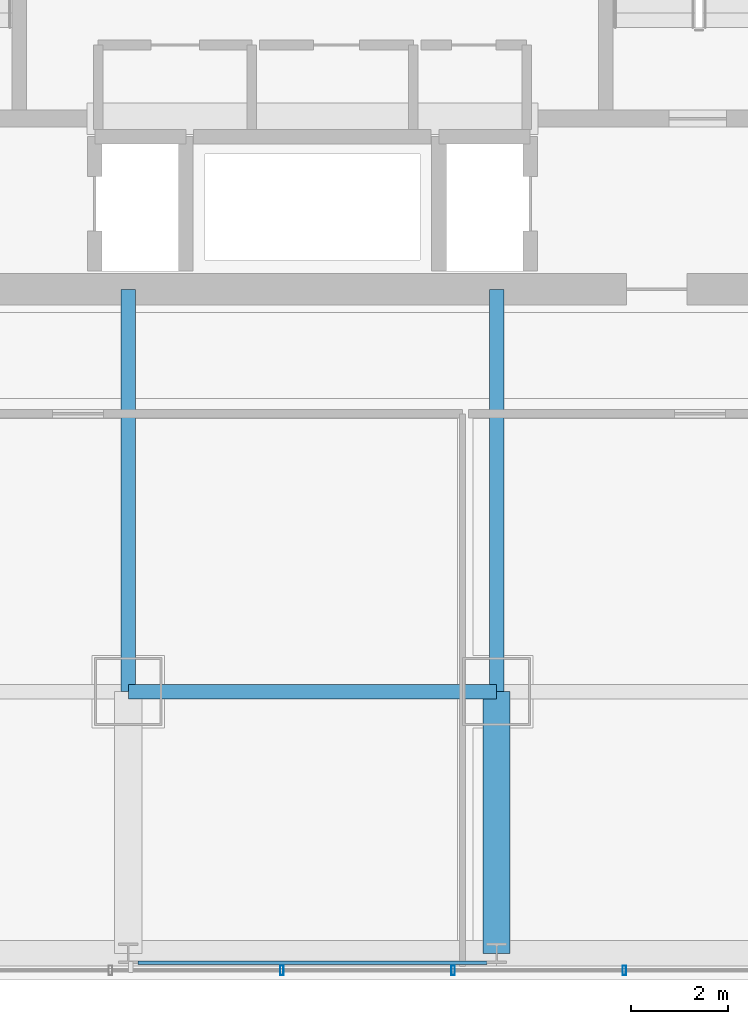
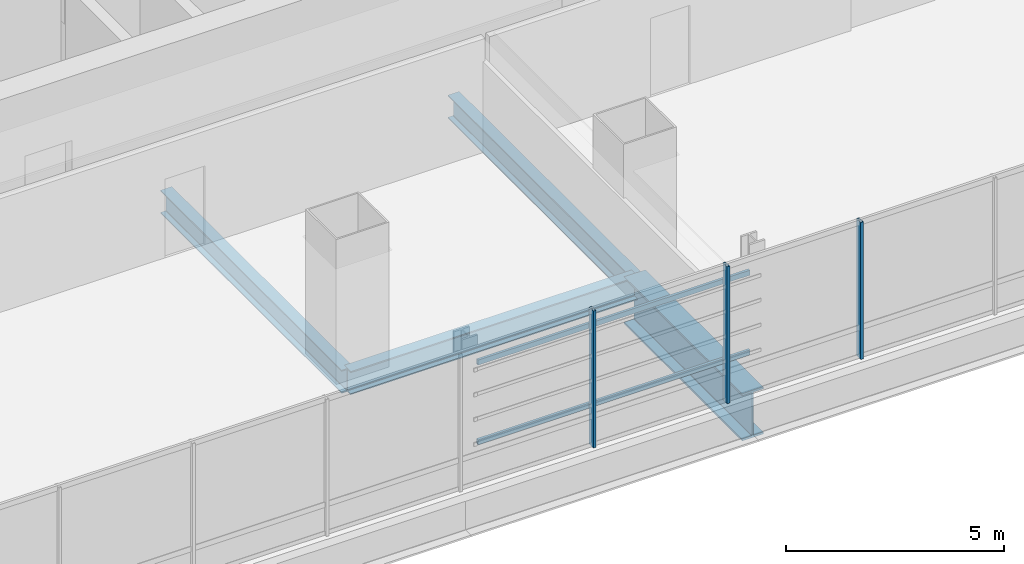
# One storey, part 8 of 36: 5 members, 4 beams, 1 element without a shape of its own.
"""IFC4 building model written with IfcOpenShell, lengths in metres."""

import ifcopenshell
import ifcopenshell.guid

model = None  # the IFC model being written
_history = None  # IfcOwnerHistory: only IFC2X3 demands one
_inside = {}  # id of a spatial element -> (the spatial element, [elements in it])
_under = {}  # id of a project, library or spatial element -> (it, [spatial elements below it])
_declared = {}  # id of a project -> (the project, [libraries it declares])
_typed = {}  # id of a type object -> (the type object, [elements of that type])
_made_of = {}  # id of a material, layer set ... -> (it, [elements and type objects made of it])


def new_model(schema):
    """Start an empty IFC model of exactly this schema.

    Asked for "IFC4X3", IfcOpenShell would pick the latest addendum, in which some entities
    have other attributes; the version numbers below select the first issue.
    IFC2X3 requires an IfcOwnerHistory on every rooted entity: one is made here for all.
    """
    global model, _history
    if schema == "IFC4X3":
        model = ifcopenshell.file(schema_version=(4, 3, 0, 0))
    else:
        model = ifcopenshell.file(schema=schema)
    _inside.clear()
    _under.clear()
    _declared.clear()
    _typed.clear()
    _made_of.clear()
    _history = None
    if model.schema == "IFC2X3":
        org = make("IfcOrganization", Name="unknown")
        user = make(
            "IfcPersonAndOrganization",
            ThePerson=make("IfcPerson", FamilyName="unknown"),
            TheOrganization=org,
        )
        app = make(
            "IfcApplication",
            ApplicationDeveloper=org,
            Version="unknown",
            ApplicationFullName="unknown",
            ApplicationIdentifier="unknown",
        )
        _history = make(
            "IfcOwnerHistory",
            OwningUser=user,
            OwningApplication=app,
            ChangeAction="ADDED",
            CreationDate=0,
        )
    return model


def make(cls, **values):
    """One entity of the class cls with the attributes given. An attribute that is None is left unset."""
    return model.create_entity(
        cls, **{name: value for name, value in values.items() if value is not None}
    )


def rooted(cls, **values):
    """An entity with a GlobalId (a new one), such as an element, a storey or a relation."""
    return make(cls, GlobalId=ifcopenshell.guid.new(), OwnerHistory=_history, **values)


def si_unit(unit_type, name, prefix=None):
    """IfcSIUnit, for example si_unit("LENGTHUNIT", "METRE", prefix="MILLI")."""
    return make("IfcSIUnit", UnitType=unit_type, Prefix=prefix, Name=name)


def assignment(units):
    """IfcUnitAssignment: the units of a project."""
    return None if units is None else make("IfcUnitAssignment", Units=units)


def point(xyz):
    """IfcCartesianPoint."""
    return None if xyz is None else make("IfcCartesianPoint", Coordinates=xyz)


def direction(xyz):
    """IfcDirection."""
    return None if xyz is None else make("IfcDirection", DirectionRatios=xyz)


def frame(location, z_axis=None, x_axis=None):
    """IfcAxis2Placement3D, a coordinate frame: its origin and axes. An axis left out is left unset."""
    return make(
        "IfcAxis2Placement3D",
        Location=point(location),
        Axis=direction(z_axis),
        RefDirection=direction(x_axis),
    )


def frame_2d(location, x_axis=None):
    """IfcAxis2Placement2D, a coordinate frame in the plane: its origin and x axis."""
    return make(
        "IfcAxis2Placement2D", Location=point(location), RefDirection=direction(x_axis)
    )


def origin():
    """The frame at (0, 0, 0) with its axes left unset."""
    return frame((0.0, 0.0, 0.0))


def origin_2d():
    """The frame at (0, 0) in the plane with its x axis left unset."""
    return frame_2d((0.0, 0.0))


def place(relative_to, where):
    """IfcLocalPlacement: puts the frame where relative to a parent placement (None: the world)."""
    return make(
        "IfcLocalPlacement", PlacementRelTo=relative_to, RelativePlacement=where
    )


def context(
    kind, dimensions, precision=None, world=None, true_north=None, identifier=None
):
    """IfcGeometricRepresentationContext, for example the 3D "Model" context."""
    return make(
        "IfcGeometricRepresentationContext",
        ContextIdentifier=identifier,
        ContextType=kind,
        CoordinateSpaceDimension=dimensions,
        Precision=precision,
        WorldCoordinateSystem=world,
        TrueNorth=true_north,
    )


def subcontext(parent, identifier, kind, view, scale=None):
    """IfcGeometricRepresentationSubContext, for example "Body" below "Model"."""
    return make(
        "IfcGeometricRepresentationSubContext",
        ContextIdentifier=identifier,
        ContextType=kind,
        ParentContext=parent,
        TargetScale=scale,
        TargetView=view,
    )


def project(units=None, contexts=None):
    """IfcProject with its units and contexts."""
    return rooted(
        "IfcProject",
        Name="project",
        RepresentationContexts=contexts,
        UnitsInContext=assignment(units),
    )


def spatial(cls, under=None, at=None, **own):
    """A site, building, storey or space (cls), placed at a placement, below another one or the project."""
    s = rooted(cls, ObjectPlacement=at, **own)
    if under is not None:
        _under.setdefault(under.id(), (under, []))[1].append(s)
    return s


def profile(cls, at=None, kind="AREA", **sizes):
    """A parametric profile (cls). Its sizes go by their IFC names, for example OverallWidth=200.0."""
    return make(cls, ProfileType=kind, Position=at, **sizes)


def hollow_rectangle(**sizes):
    """IfcRectangleHollowProfileDef."""
    return profile("IfcRectangleHollowProfileDef", **sizes)


def i_section(**sizes):
    """IfcIShapeProfileDef."""
    return profile("IfcIShapeProfileDef", **sizes)


def extrude(swept, where, along, depth):
    """IfcExtrudedAreaSolid: the profile swept, set in the frame where, extruded along a direction by depth."""
    return make(
        "IfcExtrudedAreaSolid",
        SweptArea=swept,
        Position=where,
        ExtrudedDirection=direction(along),
        Depth=depth,
    )


def shape(context_of_items, identifier, shape_type, items):
    """IfcShapeRepresentation: the items that make up one representation, for example the "Body"."""
    return make(
        "IfcShapeRepresentation",
        ContextOfItems=context_of_items,
        RepresentationIdentifier=identifier,
        RepresentationType=shape_type,
        Items=items,
    )


def material(Name=None, Category=None):
    """IfcMaterial."""
    return make("IfcMaterial", Name=Name, Category=Category)


def material_profile(
    of_material, cross_section, Name=None, Category=None, Priority=None
):
    """IfcMaterialProfile: a cross section and its material."""
    return make(
        "IfcMaterialProfile",
        Name=Name,
        Material=of_material,
        Profile=cross_section,
        Priority=Priority,
        Category=Category,
    )


def profile_set(profiles, Name=None, composite=None):
    """IfcMaterialProfileSet."""
    return make(
        "IfcMaterialProfileSet",
        Name=Name,
        MaterialProfiles=profiles,
        CompositeProfile=composite,
    )


def made_of(thing, what):
    """Note that an element or type object is made of a material, layer set ...; save() writes the relation."""
    if what is not None:
        _made_of.setdefault(what.id(), (what, []))[1].append(thing)
    return thing


def type_object(cls, material=None, **own):
    """A type object (cls), such as IfcWallType, which elements share."""
    return made_of(rooted(cls, **own), material)


def element(
    cls,
    number,
    at=None,
    inside=None,
    cuts=None,
    type_object=None,
    material=None,
    context=None,
    identifier="Body",
    shape_type=None,
    held_by="IfcProductDefinitionShape",
    body=None,
    shapes=None,
    **own,
):
    """One element of the class cls, such as IfcWall. Its Tag is "e" and its number.

    at: its placement. inside: the storey or other place that contains it. cuts: it is an
    opening in that element (IfcRelVoidsElement). A single representation is given by context,
    identifier, shape_type and body (its items); several are given by shapes. held_by: the class
    of the entity that holds the representations. save() writes the other relations.
    """
    e = rooted(cls, Tag="e%d" % number, ObjectPlacement=at, **own)
    if body is not None:
        shapes = [shape(context, identifier, shape_type, body)]
    if shapes is not None:
        e.Representation = make(held_by, Representations=shapes)
    if inside is not None:
        _inside.setdefault(inside.id(), (inside, []))[1].append(e)
    if cuts is not None:
        rooted(
            "IfcRelVoidsElement", RelatingBuildingElement=cuts, RelatedOpeningElement=e
        )
    if type_object is not None:
        _typed.setdefault(type_object.id(), (type_object, []))[1].append(e)
    return made_of(e, material)


def aggregate(whole, parts):
    """IfcRelAggregates: a whole, such as a stair, and the parts it consists of."""
    return rooted("IfcRelAggregates", RelatingObject=whole, RelatedObjects=parts)


def save(model, path):
    """Write the relations noted so far, then the file.

    IfcRelAggregates (storeys below a building ...), IfcRelContainedInSpatialStructure (elements
    in a storey), IfcRelDefinesByType, IfcRelAssociatesMaterial and IfcRelDeclares: one each for
    every whole, place, type object, material and project.
    """
    for whole, parts in _under.values():
        aggregate(whole, parts)
    for where, things in _inside.values():
        rooted(
            "IfcRelContainedInSpatialStructure",
            RelatedElements=things,
            RelatingStructure=where,
        )
    for kind, things in _typed.values():
        rooted("IfcRelDefinesByType", RelatedObjects=things, RelatingType=kind)
    for what, things in _made_of.values():
        rooted("IfcRelAssociatesMaterial", RelatedObjects=things, RelatingMaterial=what)
    for by, libraries in _declared.values():
        rooted("IfcRelDeclares", RelatingContext=by, RelatedDefinitions=libraries)
    model.write(path)


model = new_model("IFC4")

# Units and contexts
model_context = context("Model", 3, precision=1e-05, world=origin(), true_north=direction((0.0, 1.0)))
body_context = subcontext(model_context, "Body", "Model", "MODEL_VIEW")
ifc_project = project(units=[si_unit("LENGTHUNIT", "METRE"), si_unit("AREAUNIT", "SQUARE_METRE"), si_unit("VOLUMEUNIT", "CUBIC_METRE"), si_unit("PLANEANGLEUNIT", "RADIAN"), si_unit("MASSUNIT", "GRAM", prefix="KILO")], contexts=[model_context])

# Site, building, storey
site_placement = place(None, origin())
site = spatial("IfcSite", under=ifc_project, at=site_placement, CompositionType="ELEMENT")
building_placement = place(site_placement, origin())
building = spatial("IfcBuilding", under=site, at=building_placement, Name="Punatoya Terracotta Tower", CompositionType="ELEMENT")
storey_placement = place(building_placement, frame((0.0, 0.0, 180.300048828125)))
storey = spatial("IfcBuildingStorey", under=building, at=storey_placement, Name="L42", CompositionType="ELEMENT", Elevation=180.300048828125)

# Beams
ifc_material_1 = material(Name="Steel S355", Category="steel")
ifc_material_profile_1 = material_profile(ifc_material_1, i_section(OverallWidth=0.300048828125, OverallDepth=0.64990234375, WebThickness=0.01611328125, FlangeThickness=0.031005859375, FilletRadius=0.01806640625, at=origin_2d()))
ifc_profile_set_1 = profile_set([ifc_material_profile_1], Name="Steel S355")
beam_type_1 = type_object("IfcBeamType", Name="BM-PRI-650", PredefinedType="BEAM", material=ifc_profile_set_1)
beam_1_placement = place(storey_placement, frame((-3.800048828125, -17.5, -0.545166015625), z_axis=(1.0, 0.0, 0.0), x_axis=(0.0, 1.0, 0.0)))
element("IfcBeam", 1, at=beam_1_placement, inside=storey, type_object=beam_type_1, Name="BM-L42-RG-S2", PredefinedType="BEAM", context=body_context, shape_type="SweptSolid", body=[
    extrude(i_section(OverallWidth=0.300048828125, OverallDepth=0.64990234375, WebThickness=0.01611328125, FlangeThickness=0.031005859375, FilletRadius=0.01806640625, at=origin_2d()), origin(), (0.0, 0.0, 1.0), 7.60009765625),
])
for number, where, z_axis, x_axis, name in (
    (2, (-3.800048828125, -17.5, -0.545166015625), (0.0, 1.0, 0.0), (-1.0, 0.0, 0.0), "BM-L42-PR-S2"),
    (3, (3.800048828125, -17.5, -0.545166015625), (0.0, 1.0, 0.0), (-1.0, 0.0, 0.0), "BM-L42-PR-S3"),
):
    element("IfcBeam", number, at=place(storey_placement, frame(where, z_axis=z_axis, x_axis=x_axis)), inside=storey, type_object=beam_type_1, Name=name, PredefinedType="BEAM", context=body_context, shape_type="SweptSolid", body=[
        extrude(i_section(OverallWidth=0.300048828125, OverallDepth=0.64990234375, WebThickness=0.01611328125, FlangeThickness=0.031005859375, FilletRadius=0.01806640625, at=origin_2d()), origin(), (0.0, 0.0, 1.0), 8.300048828125),
    ])
ifc_material_2 = material(Name="Steel S460", Category="steel")
ifc_material_profile_2 = material_profile(ifc_material_2, i_section(OverallWidth=0.56005859375, OverallDepth=1.320068359375, WebThickness=0.035888671875, FlangeThickness=0.054931640625, FilletRadius=0.01806640625, at=origin_2d()))
ifc_profile_set_2 = profile_set([ifc_material_profile_2], Name="Steel S460")
beam_type_2 = type_object("IfcBeamType", Name="BM-TG-BLK", PredefinedType="BEAM", material=ifc_profile_set_2)
beam_2_placement = place(storey_placement, frame((3.800048828125, -22.89990234375, -0.880126953125), z_axis=(0.0, 1.0, 0.0), x_axis=(-1.0, 0.0, 0.0)))
element("IfcBeam", 4, at=beam_2_placement, inside=storey, type_object=beam_type_2, Name="BM-L42-CANT-S3", PredefinedType="BEAM", context=body_context, shape_type="SweptSolid", body=[
    extrude(i_section(OverallWidth=0.56005859375, OverallDepth=1.320068359375, WebThickness=0.035888671875, FlangeThickness=0.054931640625, FilletRadius=0.01806640625, at=origin_2d()), origin(), (0.0, 0.0, 1.0), 5.39990234375),
])

# Curtain wall, members
ifc_material_3 = material(Name="Aluminium 6063-T6 + Double Low-E Glass", Category="aluminium")
curtain_wall_type = type_object("IfcCurtainWallType", Name="CW-M2", PredefinedType="NOTDEFINED", material=ifc_material_3)
curtain_wall_placement = place(storey_placement, origin())
curtain_wall = element("IfcCurtainWall", 5, at=curtain_wall_placement, inside=storey, type_object=curtain_wall_type, Name="L42 Curtain Wall CW-L42-S01-1", PredefinedType="NOTDEFINED")
ifc_material_4 = material(Name="Aluminium 6063-T6", Category="aluminium")
ifc_material_profile_3 = material_profile(ifc_material_4, hollow_rectangle(XDim=0.072021484375, YDim=0.195068359375, WallThickness=0.00439453125, at=origin_2d()))
ifc_profile_set_3 = profile_set([ifc_material_profile_3], Name="Aluminium 6063-T6")
member_type_1 = type_object("IfcMemberType", Name="CW-MUL-M2", PredefinedType="MULLION", material=ifc_profile_set_3)
member_1_placement = place(storey_placement, frame((-0.633056640625, -23.25, 0.0), z_axis=(0.0, 0.0, 1.0), x_axis=(1.0, 0.0, 0.0)))
member_1 = element("IfcMember", 6, at=member_1_placement, type_object=member_type_1, Name="CW-L42-S01-1 Mullion 06", PredefinedType="MULLION", context=body_context, shape_type="SweptSolid", body=[
    extrude(hollow_rectangle(XDim=0.072021484375, YDim=0.195068359375, WallThickness=0.00439453125, at=origin_2d()), origin(), (0.0, 0.0, 1.0), 3.829833984375),
])
member_2_placement = place(storey_placement, frame((2.90087890625, -23.25, 0.0), z_axis=(0.0, 0.0, 1.0), x_axis=(1.0, 0.0, 0.0)))
member_2 = element("IfcMember", 7, at=member_2_placement, type_object=member_type_1, Name="CW-L42-S01-1 Mullion 07", PredefinedType="MULLION", context=body_context, shape_type="SweptSolid", body=[
    extrude(hollow_rectangle(XDim=0.072021484375, YDim=0.195068359375, WallThickness=0.00439453125, at=origin_2d()), origin(), (0.0, 0.0, 1.0), 3.829833984375),
])
member_3_placement = place(storey_placement, frame((6.43505859375, -23.25, 0.0), z_axis=(0.0, 0.0, 1.0), x_axis=(1.0, 0.0, 0.0)))
member_3 = element("IfcMember", 8, at=member_3_placement, type_object=member_type_1, Name="CW-L42-S01-1 Mullion 08", PredefinedType="MULLION", context=body_context, shape_type="SweptSolid", body=[
    extrude(hollow_rectangle(XDim=0.072021484375, YDim=0.195068359375, WallThickness=0.00439453125, at=origin_2d()), origin(), (0.0, 0.0, 1.0), 3.829833984375),
])
aggregate(curtain_wall, [member_1, member_2, member_3])

# Members
ifc_material_profile_4 = material_profile(ifc_material_1, hollow_rectangle(XDim=0.070068359375, YDim=0.139892578125, WallThickness=0.006103515625, at=origin_2d()))
ifc_profile_set_4 = profile_set([ifc_material_profile_4], Name="Steel S355")
member_type_2 = type_object("IfcMemberType", Name="MEM-BAG-RAIL", PredefinedType="USERDEFINED", material=ifc_profile_set_4)
for number, where, z_axis, x_axis, name in (
    (9, (-3.595947265625, -23.094482421875, 1.050048828125), (1.0, 0.0, 0.0), (0.0, 1.0, 0.0), "L42 Terracotta Baguette Carrier Rail BAG-L42-S-R1"),
    (10, (-3.595947265625, -23.094482421875, 3.280029296875), (1.0, 0.0, 0.0), (0.0, 1.0, 0.0), "L42 Terracotta Baguette Carrier Rail BAG-L42-S-R2"),
):
    element("IfcMember", number, at=place(storey_placement, frame(where, z_axis=z_axis, x_axis=x_axis)), inside=storey, type_object=member_type_2, Name=name, ObjectType="BAGUETTE", PredefinedType="USERDEFINED", context=body_context, shape_type="SweptSolid", body=[
        extrude(hollow_rectangle(XDim=0.070068359375, YDim=0.139892578125, WallThickness=0.006103515625, at=origin_2d()), origin(), (0.0, 0.0, 1.0), 7.19189453125),
    ])

save(model, "model.ifc")
